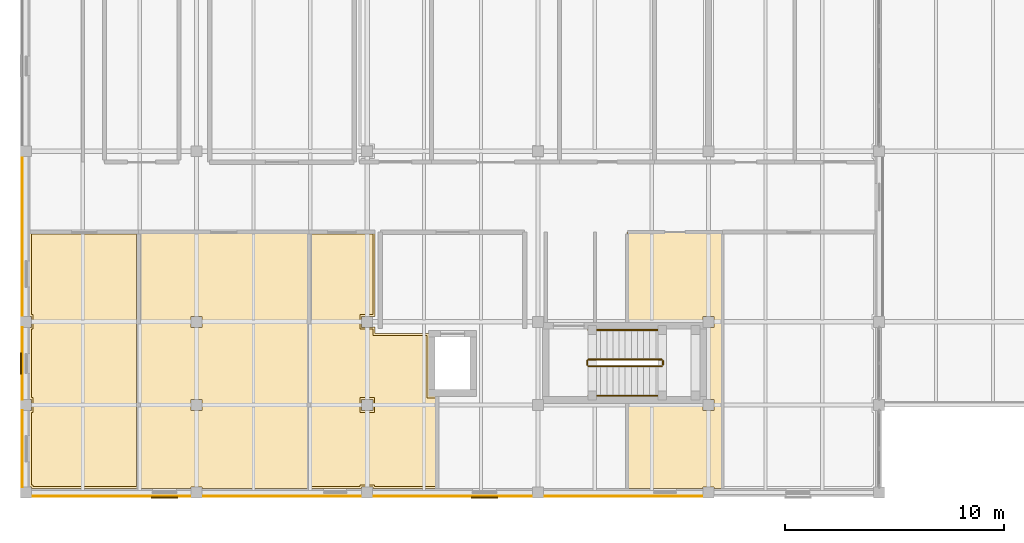
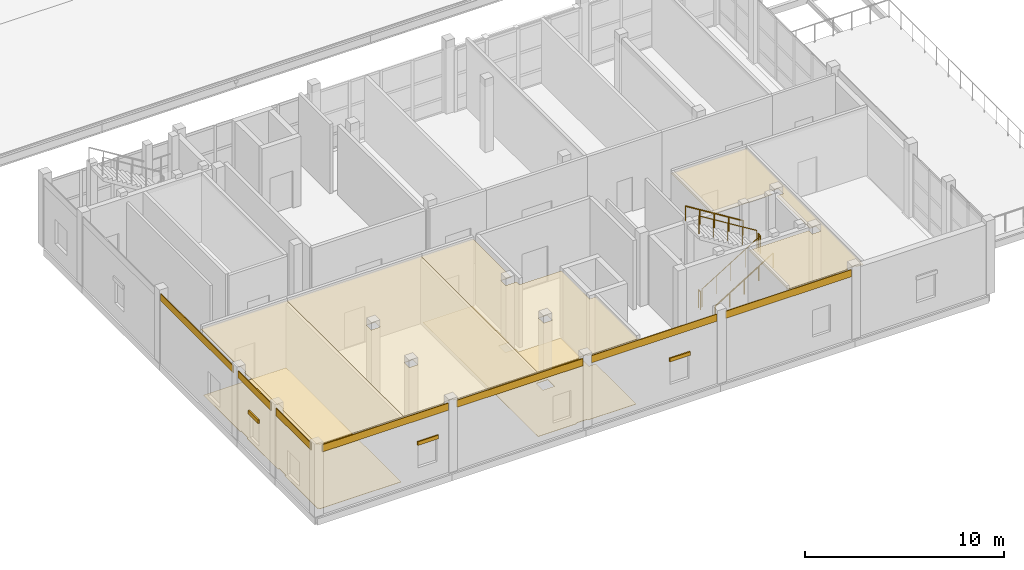
# One storey, part 74 of 89: 13 coverings, 6 railings, 3 shading devices.
"""IFC4 building model written with IfcOpenShell, lengths in metres."""

from ifc_helpers import new_model, si_unit, direction, frame, origin, origin_2d, place, context, subcontext, project, spatial, polyline, rectangle, circle, outline, extrude, material, layer, layer_set, type_object, element, save


model = new_model("IFC4")

# Units and contexts
model_context = context("Model", 3, precision=1e-05, world=origin(), true_north=direction((0.0, 1.0)))
body_context = subcontext(model_context, "Body", "Model", "MODEL_VIEW")
ifc_project = project(units=[si_unit("LENGTHUNIT", "METRE"), si_unit("AREAUNIT", "SQUARE_METRE"), si_unit("VOLUMEUNIT", "CUBIC_METRE"), si_unit("PLANEANGLEUNIT", "RADIAN"), si_unit("MASSUNIT", "GRAM", prefix="KILO")], contexts=[model_context])

# Site, building, storey
site_placement = place(None, origin())
site = spatial("IfcSite", under=ifc_project, at=site_placement, CompositionType="ELEMENT")
building_placement = place(site_placement, origin())
building = spatial("IfcBuilding", under=site, at=building_placement, Name="Celorna Specialist Clinic", CompositionType="ELEMENT")
storey_placement = place(building_placement, frame((0.0, 0.0, 14.10009765625)))
storey = spatial("IfcBuildingStorey", under=building, at=storey_placement, Name="L03", CompositionType="ELEMENT", Elevation=14.10009765625)

# Coverings
ifc_material_1 = material(Name="Hygienic acoustic mineral-fibre ceiling")
ifc_layer_1 = layer(ifc_material_1, 0.030029296875, Name="Hygienic acoustic mineral-fibre ceiling")
ifc_layer_set_1 = layer_set([ifc_layer_1], Name="Hygienic acoustic mineral-fibre ceiling")
covering_type_1 = type_object("IfcCoveringType", Name="CE-01", PredefinedType="CEILING", material=ifc_layer_set_1)
covering_1_placement = place(storey_placement, frame((0.0, 0.0, 4.02978515625)))
element("IfcCovering", 1, at=covering_1_placement, inside=storey, type_object=covering_type_1, Name="Acoustic ceiling L03-041", PredefinedType="CEILING", context=body_context, shape_type="SweptSolid", body=[
    extrude(outline(polyline([(0.175048828125, 3.7451171875), (0.2548828125, 3.7451171875), (0.2548828125, 4.2548828125), (0.175048828125, 4.2548828125), (0.175048828125, 7.544921875), (0.2548828125, 7.544921875), (0.2548828125, 8.054931640625), (0.175048828125, 8.054931640625), (0.175048828125, 11.9150390625), (5.155029296875, 11.9150390625), (5.155029296875, 0.175048828125), (0.2548828125, 0.175048828125), (0.2548828125, 0.2548828125), (0.175048828125, 0.2548828125), (0.175048828125, 3.7451171875)])), origin(), (0.0, 0.0, 1.0), 0.030029296875),
])
covering_2_placement = place(storey_placement, frame((0.0, 0.0, 4.02978515625)))
element("IfcCovering", 2, at=covering_2_placement, inside=storey, type_object=covering_type_1, Name="Acoustic ceiling L03-042", PredefinedType="CEILING", context=body_context, shape_type="SweptSolid", body=[
    extrude(outline(polyline([(12.955078125, 11.9150390625), (12.955078125, 0.175048828125), (8.054931640625, 0.175048828125), (8.054931640625, 0.2548828125), (7.544921875, 0.2548828125), (7.544921875, 0.175048828125), (5.125, 0.175048828125), (5.125, 11.9150390625), (12.955078125, 11.9150390625)]), holes=[polyline([(7.544921875, 4.2548828125), (7.544921875, 3.7451171875), (8.054931640625, 3.7451171875), (8.054931640625, 4.2548828125), (7.544921875, 4.2548828125)]), polyline([(8.054931640625, 8.054931640625), (7.544921875, 8.054931640625), (7.544921875, 7.544921875), (8.054931640625, 7.544921875), (8.054931640625, 8.054931640625)])]), origin(), (0.0, 0.0, 1.0), 0.030029296875),
])
covering_3_placement = place(storey_placement, frame((0.0, 0.0, 4.02978515625)))
element("IfcCovering", 3, at=covering_3_placement, inside=storey, type_object=covering_type_1, Name="Acoustic ceiling L03-043", PredefinedType="CEILING", context=body_context, shape_type="SweptSolid", body=[
    extrude(outline(polyline([(12.925048828125, 0.175048828125), (12.925048828125, 11.9150390625), (15.965087890625, 11.9150390625), (15.965087890625, 8.044921875), (15.85498046875, 8.044921875), (15.85498046875, 8.054931640625), (15.344970703125, 8.054931640625), (15.344970703125, 7.544921875), (15.85498046875, 7.544921875), (15.85498046875, 7.554931640625), (15.965087890625, 7.554931640625), (15.965087890625, 7.264892578125), (18.4150390625, 7.264892578125), (18.4150390625, 4.4150390625), (18.804931640625, 4.4150390625), (18.804931640625, 0.175048828125), (15.85498046875, 0.175048828125), (15.85498046875, 0.2548828125), (15.344970703125, 0.2548828125), (15.344970703125, 0.175048828125), (12.925048828125, 0.175048828125)]), holes=[polyline([(15.85498046875, 4.2548828125), (15.344970703125, 4.2548828125), (15.344970703125, 3.7451171875), (15.85498046875, 3.7451171875), (15.85498046875, 4.2548828125)])]), origin(), (0.0, 0.0, 1.0), 0.030029296875),
])
covering_4_placement = place(storey_placement, frame((0.0, 0.0, 4.02978515625)))
element("IfcCovering", 4, at=covering_4_placement, inside=storey, type_object=covering_type_1, Name="Acoustic ceiling L03-044", PredefinedType="CEILING", context=body_context, shape_type="SweptSolid", body=[
    extrude(outline(polyline([(27.47509765625, 0.175048828125), (27.47509765625, 4.094970703125), (30.945068359375, 4.094970703125), (30.945068359375, 3.7451171875), (31.455078125, 3.7451171875), (31.455078125, 4.2548828125), (31.094970703125, 4.2548828125), (31.094970703125, 7.544921875), (31.455078125, 7.544921875), (31.455078125, 8.054931640625), (30.945068359375, 8.054931640625), (30.945068359375, 7.764892578125), (27.47509765625, 7.764892578125), (27.47509765625, 11.9150390625), (31.85498046875, 11.9150390625), (31.85498046875, 0.175048828125), (31.455078125, 0.175048828125), (31.455078125, 0.2548828125), (30.945068359375, 0.2548828125), (30.945068359375, 0.175048828125), (27.47509765625, 0.175048828125)])), origin(), (0.0, 0.0, 1.0), 0.030029296875),
])
ifc_material_2 = material(Name="Pero Pinheiro Lioz limestone rainscreen cladding", Category="masonry")
ifc_layer_2 = layer(ifc_material_2, 0.044921875, Name="Pero Pinheiro Lioz limestone rainscreen cladding")
ifc_layer_set_2 = layer_set([ifc_layer_2], Name="Pero Pinheiro Lioz limestone rainscreen cladding")
covering_type_2 = type_object("IfcCoveringType", Name="CL-01", PredefinedType="CLADDING", material=ifc_layer_set_2)
for number, where, z_axis, x_axis, name in (
    (5, (3.89990234375, -0.16748046875, 3.81982421875), (0.0, 0.0, 1.0), (-1.0, 0.0, 0.0), "Lioz spandrel cladding #349"),
    (6, (11.699951171875, -0.16748046875, 3.81982421875), (0.0, 0.0, 1.0), (-1.0, 0.0, 0.0), "Lioz spandrel cladding #350"),
    (7, (19.5, -0.16748046875, 3.81982421875), (0.0, 0.0, 1.0), (-1.0, 0.0, 0.0), "Lioz spandrel cladding #351"),
    (8, (27.300048828125, -0.16748046875, 3.81982421875), (0.0, 0.0, 1.0), (-1.0, 0.0, 0.0), "Lioz spandrel cladding #352"),
):
    element("IfcCovering", number, at=place(storey_placement, frame(where, z_axis=z_axis, x_axis=x_axis)), inside=storey, type_object=covering_type_2, Name=name, PredefinedType="CLADDING", context=body_context, shape_type="SweptSolid", body=[
        extrude(rectangle(XDim=7.300048828125, YDim=0.044921875, at=origin_2d()), origin(), (0.0, 0.0, 1.0), 0.43994140625),
    ])
covering_5_placement = place(storey_placement, frame((-0.16748046875, 2.0, 3.81982421875), z_axis=(0.0, 0.0, 1.0), x_axis=(0.0, 1.0, 0.0)))
element("IfcCovering", 9, at=covering_5_placement, inside=storey, type_object=covering_type_2, Name="Lioz spandrel cladding #354", PredefinedType="CLADDING", context=body_context, shape_type="SweptSolid", body=[
    extrude(rectangle(XDim=3.5, YDim=0.044921875, at=origin_2d()), origin(), (0.0, 0.0, 1.0), 0.43994140625),
])
covering_6_placement = place(storey_placement, frame((-0.16748046875, 5.89990234375, 3.81982421875), z_axis=(0.0, 0.0, 1.0), x_axis=(0.0, 1.0, 0.0)))
element("IfcCovering", 10, at=covering_6_placement, inside=storey, type_object=covering_type_2, Name="Lioz spandrel cladding #355", PredefinedType="CLADDING", context=body_context, shape_type="SweptSolid", body=[
    extrude(rectangle(XDim=3.300048828125, YDim=0.044921875, at=origin_2d()), origin(), (0.0, 0.0, 1.0), 0.43994140625),
])
covering_7_placement = place(storey_placement, frame((-0.16748046875, 11.699951171875, 3.81982421875), z_axis=(0.0, 0.0, 1.0), x_axis=(0.0, 1.0, 0.0)))
element("IfcCovering", 11, at=covering_7_placement, inside=storey, type_object=covering_type_2, Name="Lioz spandrel cladding #356", PredefinedType="CLADDING", context=body_context, shape_type="SweptSolid", body=[
    extrude(rectangle(XDim=7.300048828125, YDim=0.044921875, at=origin_2d()), origin(), (0.0, 0.0, 1.0), 0.43994140625),
])
ifc_material_3 = material(Name="Seamless antimicrobial clinical vinyl and Lioz terrazzo flooring")
ifc_layer_3 = layer(ifc_material_3, 0.02001953125, Name="Seamless antimicrobial clinical vinyl and Lioz terrazzo flooring")
ifc_layer_set_3 = layer_set([ifc_layer_3], Name="Seamless antimicrobial clinical vinyl and Lioz terrazzo flooring")
covering_type_3 = type_object("IfcCoveringType", Name="FL-01", PredefinedType="FLOORING", material=ifc_layer_set_3)
covering_8_placement = place(storey_placement, origin())
element("IfcCovering", 12, at=covering_8_placement, inside=storey, type_object=covering_type_3, Name="Antimicrobial clinical flooring L03-041", PredefinedType="FLOORING", context=body_context, shape_type="SweptSolid", body=[
    extrude(outline(polyline([(0.3349609375, 0.264892578125), (0.3349609375, 0.3349609375), (0.264892578125, 0.3349609375), (0.264892578125, 3.6650390625), (0.3349609375, 3.6650390625), (0.3349609375, 4.3349609375), (0.264892578125, 4.3349609375), (0.264892578125, 7.465087890625), (0.3349609375, 7.465087890625), (0.3349609375, 8.135009765625), (0.264892578125, 8.135009765625), (0.264892578125, 11.824951171875), (5.06494140625, 11.824951171875), (5.06494140625, 0.264892578125), (0.3349609375, 0.264892578125)])), origin(), (0.0, 0.0, 1.0), 0.02001953125),
])
covering_9_placement = place(storey_placement, origin())
element("IfcCovering", 13, at=covering_9_placement, inside=storey, type_object=covering_type_3, Name="Antimicrobial clinical flooring L03-043", PredefinedType="FLOORING", context=body_context, shape_type="SweptSolid", body=[
    extrude(outline(polyline([(15.264892578125, 0.264892578125), (13.014892578125, 0.264892578125), (13.014892578125, 11.824951171875), (15.875, 11.824951171875), (15.875, 8.135009765625), (15.264892578125, 8.135009765625), (15.264892578125, 7.465087890625), (15.875, 7.465087890625), (15.875, 7.175048828125), (18.324951171875, 7.175048828125), (18.324951171875, 4.324951171875), (18.715087890625, 4.324951171875), (18.715087890625, 0.264892578125), (15.93505859375, 0.264892578125), (15.93505859375, 0.3349609375), (15.264892578125, 0.3349609375), (15.264892578125, 0.264892578125)]), holes=[polyline([(15.93505859375, 4.3349609375), (15.264892578125, 4.3349609375), (15.264892578125, 3.6650390625), (15.93505859375, 3.6650390625), (15.93505859375, 4.3349609375)])]), origin(), (0.0, 0.0, 1.0), 0.02001953125),
])

# Railings
ifc_material_4 = material(Name="Powder-coated steel S355", Category="steel")
railing_type_1 = type_object("IfcRailingType", Name="GR-01", PredefinedType="GUARDRAIL", material=ifc_material_4)
railing_1_placement = place(storey_placement, frame((25.7099609375, 5.780029296875, 0.173095703125)))
element("IfcRailing", 14, at=railing_1_placement, inside=storey, type_object=railing_type_1, Name="L03 ST-05 stair guard 1", PredefinedType="GUARDRAIL", context=body_context, shape_type="SweptSolid", body=[
    extrude(circle(Radius=0.02392578125, at=origin_2d()), frame((0.0, 0.0, 1.09619140625), z_axis=(0.850623216509, 0.0, 0.525775754039), x_axis=(0.0, 1.0, 0.0)), (0.0, 0.0, 1.0), 3.9501953125),
    extrude(circle(Radius=0.02099609375, at=origin_2d()), origin(), (0.0, 0.0, 1.0), 1.072021484375),
    extrude(circle(Radius=0.02099609375, at=origin_2d()), frame((0.840087890625, 0.0, 0.519287109375)), (0.0, 0.0, 1.0), 1.072021484375),
    extrude(circle(Radius=0.02099609375, at=origin_2d()), frame((1.68017578125, 0.0, 1.03857421875)), (0.0, 0.0, 1.0), 1.072021484375),
    extrude(circle(Radius=0.02099609375, at=origin_2d()), frame((2.52001953125, 0.0, 1.5576171875)), (0.0, 0.0, 1.0), 1.072021484375),
    extrude(circle(Radius=0.02099609375, at=origin_2d()), frame((3.360107421875, 0.0, 2.076904296875)), (0.0, 0.0, 1.0), 1.072021484375),
])
railing_2_placement = place(storey_placement, frame((29.1201171875, 5.830078125, 2.25)))
element("IfcRailing", 15, at=railing_2_placement, inside=storey, type_object=railing_type_1, Name="L03 ST-05 stair guard 2", PredefinedType="GUARDRAIL", context=body_context, shape_type="SweptSolid", body=[
    extrude(circle(Radius=0.02392578125, at=origin_2d()), frame((0.0, 0.0, 1.09619140625), z_axis=(0.0, 1.0, 0.0), x_axis=(-1.0, 0.0, 0.0)), (0.0, 0.0, 1.0), 0.199951171875),
    extrude(circle(Radius=0.02099609375, at=origin_2d()), origin(), (0.0, 0.0, 1.0), 1.072021484375),
    extrude(circle(Radius=0.02099609375, at=origin_2d()), frame((0.0, 0.199951171875, 0.0)), (0.0, 0.0, 1.0), 1.072021484375),
])
railing_3_placement = place(storey_placement, frame((29.070068359375, 6.080078125, 2.423095703125)))
element("IfcRailing", 16, at=railing_3_placement, inside=storey, type_object=railing_type_1, Name="L03 ST-05 stair guard 3", PredefinedType="GUARDRAIL", context=body_context, shape_type="SweptSolid", body=[
    extrude(circle(Radius=0.02392578125, at=origin_2d()), frame((0.0, 0.0, 1.09619140625), z_axis=(-0.850623216509, 0.0, 0.525775754039), x_axis=(0.0, -1.0, 0.0)), (0.0, 0.0, 1.0), 3.9501953125),
    extrude(circle(Radius=0.02099609375, at=origin_2d()), origin(), (0.0, 0.0, 1.0), 1.072021484375),
    extrude(circle(Radius=0.02099609375, at=origin_2d()), frame((-0.840087890625, 0.0, 0.519287109375)), (0.0, 0.0, 1.0), 1.072021484375),
    extrude(circle(Radius=0.02099609375, at=origin_2d()), frame((-1.68017578125, 0.0, 1.03857421875)), (0.0, 0.0, 1.0), 1.072021484375),
    extrude(circle(Radius=0.02099609375, at=origin_2d()), frame((-2.52001953125, 0.0, 1.5576171875)), (0.0, 0.0, 1.0), 1.072021484375),
    extrude(circle(Radius=0.02099609375, at=origin_2d()), frame((-3.360107421875, 0.0, 2.076904296875)), (0.0, 0.0, 1.0), 1.072021484375),
])
railing_4_placement = place(storey_placement, frame((25.659912109375, 5.830078125, 0.0)))
element("IfcRailing", 17, at=railing_4_placement, inside=storey, type_object=railing_type_1, Name="L03 ST-05 stair guard 4", PredefinedType="GUARDRAIL", context=body_context, shape_type="SweptSolid", body=[
    extrude(circle(Radius=0.02392578125, at=origin_2d()), frame((0.0, 0.0, 1.09619140625), z_axis=(0.0, 1.0, 0.0), x_axis=(-1.0, 0.0, 0.0)), (0.0, 0.0, 1.0), 0.199951171875),
    extrude(circle(Radius=0.02099609375, at=origin_2d()), origin(), (0.0, 0.0, 1.0), 1.072021484375),
    extrude(circle(Radius=0.02099609375, at=origin_2d()), frame((0.0, 0.199951171875, 0.0)), (0.0, 0.0, 1.0), 1.072021484375),
])
ifc_material_5 = material(Name="Brushed stainless steel handrail", Category="steel")
railing_type_2 = type_object("IfcRailingType", Name="HR-01", PredefinedType="HANDRAIL", material=ifc_material_5)
railing_5_placement = place(storey_placement, frame((25.7099609375, 4.429931640625, 0.173095703125)))
element("IfcRailing", 18, at=railing_5_placement, inside=storey, type_object=railing_type_2, Name="L03 ST-05 stair handrail 1", PredefinedType="HANDRAIL", context=body_context, shape_type="SweptSolid", body=[
    extrude(circle(Radius=0.02392578125, at=origin_2d()), frame((0.0, 0.0, 0.8759765625), z_axis=(0.850623216509, 0.0, 0.525775754039), x_axis=(0.0, 1.0, 0.0)), (0.0, 0.0, 1.0), 3.9501953125),
    extrude(circle(Radius=0.02099609375, at=origin_2d()), origin(), (0.0, 0.0, 1.0), 0.851806640625),
    extrude(circle(Radius=0.02099609375, at=origin_2d()), frame((0.840087890625, 0.0, 0.519287109375)), (0.0, 0.0, 1.0), 0.851806640625),
    extrude(circle(Radius=0.02099609375, at=origin_2d()), frame((1.68017578125, 0.0, 1.03857421875)), (0.0, 0.0, 1.0), 0.851806640625),
    extrude(circle(Radius=0.02099609375, at=origin_2d()), frame((2.52001953125, 0.0, 1.5576171875)), (0.0, 0.0, 1.0), 0.851806640625),
    extrude(circle(Radius=0.02099609375, at=origin_2d()), frame((3.360107421875, 0.0, 2.076904296875)), (0.0, 0.0, 1.0), 0.851806640625),
])
railing_6_placement = place(storey_placement, frame((29.070068359375, 7.429931640625, 2.423095703125)))
element("IfcRailing", 19, at=railing_6_placement, inside=storey, type_object=railing_type_2, Name="L03 ST-05 stair handrail 2", PredefinedType="HANDRAIL", context=body_context, shape_type="SweptSolid", body=[
    extrude(circle(Radius=0.02392578125, at=origin_2d()), frame((0.0, 0.0, 0.8759765625), z_axis=(-0.850623216509, 0.0, 0.525775754039), x_axis=(0.0, -1.0, 0.0)), (0.0, 0.0, 1.0), 3.9501953125),
    extrude(circle(Radius=0.02099609375, at=origin_2d()), origin(), (0.0, 0.0, 1.0), 0.851806640625),
    extrude(circle(Radius=0.02099609375, at=origin_2d()), frame((-0.840087890625, 0.0, 0.519287109375)), (0.0, 0.0, 1.0), 0.851806640625),
    extrude(circle(Radius=0.02099609375, at=origin_2d()), frame((-1.68017578125, 0.0, 1.03857421875)), (0.0, 0.0, 1.0), 0.851806640625),
    extrude(circle(Radius=0.02099609375, at=origin_2d()), frame((-2.52001953125, 0.0, 1.5576171875)), (0.0, 0.0, 1.0), 0.851806640625),
    extrude(circle(Radius=0.02099609375, at=origin_2d()), frame((-3.360107421875, 0.0, 2.076904296875)), (0.0, 0.0, 1.0), 0.851806640625),
])

# Shading devices
ifc_material_6 = material(Name="Anodized aluminium solar louvre", Category="aluminium")
ifc_layer_4 = layer(ifc_material_6, 0.080078125, Name="Anodized aluminium solar louvre")
ifc_layer_set_4 = layer_set([ifc_layer_4], Name="Anodized aluminium solar louvre")
shading_device_type = type_object("IfcShadingDeviceType", Name="LV-01", PredefinedType="JALOUSIE", material=ifc_layer_set_4)
for number, where, z_axis, x_axis, name in (
    (20, (6.3349609375, -0.22998046875, 2.33984375), (0.0, 0.0, 1.0), (-1.0, 0.0, 0.0), "External solar louvre LV-01 #214"),
    (21, (20.9599609375, -0.22998046875, 2.33984375), (0.0, 0.0, 1.0), (-1.0, 0.0, 0.0), "External solar louvre LV-01 #216"),
):
    element("IfcShadingDevice", number, at=place(storey_placement, frame(where, z_axis=z_axis, x_axis=x_axis)), inside=storey, type_object=shading_device_type, Name=name, PredefinedType="JALOUSIE", context=body_context, shape_type="SweptSolid", body=[
        extrude(rectangle(XDim=1.199951171875, YDim=0.080078125, at=origin_2d()), origin(), (0.0, 0.0, 1.0), 0.219970703125),
    ])
shading_device_placement = place(storey_placement, frame((-0.22998046875, 5.89990234375, 2.33984375), z_axis=(0.0, 0.0, 1.0), x_axis=(0.0, 1.0, 0.0)))
element("IfcShadingDevice", 22, at=shading_device_placement, inside=storey, type_object=shading_device_type, Name="External solar louvre LV-01 #220", PredefinedType="JALOUSIE", context=body_context, shape_type="SweptSolid", body=[
    extrude(rectangle(XDim=1.0, YDim=0.080078125, at=origin_2d()), origin(), (0.0, 0.0, 1.0), 0.219970703125),
])

save(model, "model.ifc")
